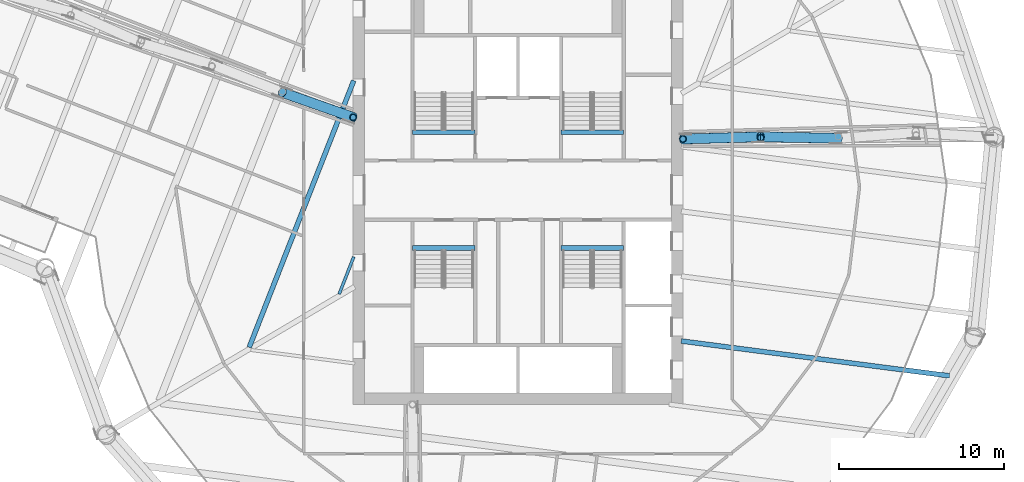
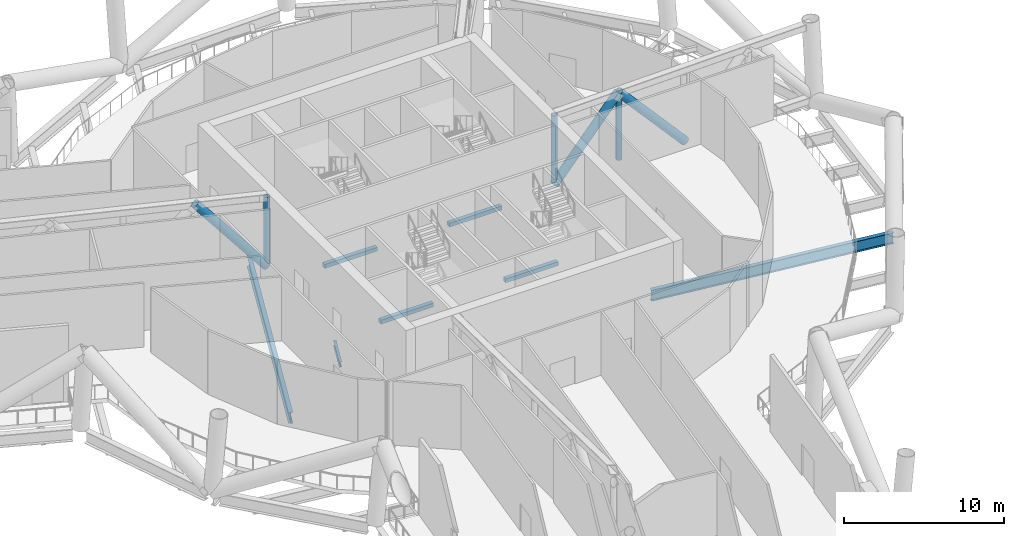
# One storey, part 6 of 36: 7 beams, 6 members.
"""IFC4 building model written with IfcOpenShell, lengths in metres."""

from ifc_helpers import new_model, si_unit, direction, frame, origin, origin_2d, place, context, subcontext, project, spatial, rectangle, hollow_circle, i_section, extrude, material, material_profile, profile_set, type_object, element, save


model = new_model("IFC4")

# Units and contexts
model_context = context("Model", 3, precision=1e-05, world=origin(), true_north=direction((0.0, 1.0)))
body_context = subcontext(model_context, "Body", "Model", "MODEL_VIEW")
ifc_project = project(units=[si_unit("LENGTHUNIT", "METRE"), si_unit("AREAUNIT", "SQUARE_METRE"), si_unit("VOLUMEUNIT", "CUBIC_METRE"), si_unit("PLANEANGLEUNIT", "RADIAN"), si_unit("MASSUNIT", "GRAM", prefix="KILO")], contexts=[model_context])

# Site, building, storey
site_placement = place(None, origin())
site = spatial("IfcSite", under=ifc_project, at=site_placement, CompositionType="ELEMENT")
building_placement = place(site_placement, origin())
building = spatial("IfcBuilding", under=site, at=building_placement, Name="Tarsis Ring Headquarters", CompositionType="ELEMENT")
storey_placement = place(building_placement, frame((0.0, 0.0, 194.39990234375)))
storey = spatial("IfcBuildingStorey", under=building, at=storey_placement, Name="L45", CompositionType="ELEMENT", Elevation=194.39990234375)

# Beams
ifc_material_1 = material(Name="Structural steel S355", Category="steel")
ifc_material_profile_1 = material_profile(ifc_material_1, i_section(OverallWidth=0.177734375, OverallDepth=0.406494140625, WebThickness=0.0078125, FlangeThickness=0.0126953125, at=origin_2d()), Name="W16x40")
ifc_profile_set_1 = profile_set([ifc_material_profile_1], Name="Structural steel S355")
beam_type_1 = type_object("IfcBeamType", Name="FB Floor beam W16x40", PredefinedType="JOIST", material=ifc_profile_set_1)
beam_1_placement = place(storey_placement, frame((-9.963623046875, -4.046875, -0.503173828125), z_axis=(-0.364846611136, -0.931067640047, 0.0), x_axis=(0.931067640047, -0.364846611136, 0.0)))
element("IfcBeam", 1, at=beam_1_placement, inside=storey, type_object=beam_type_1, Name="Floor beam FB1", PredefinedType="JOIST", context=body_context, shape_type="SweptSolid", body=[
    extrude(i_section(OverallWidth=0.177734375, OverallDepth=0.406494140625, WebThickness=0.0078125, FlangeThickness=0.0126953125, at=origin_2d()), origin(), (0.0, 0.0, 1.0), 2.428466796875),
])
ifc_material_profile_2 = material_profile(ifc_material_1, i_section(OverallWidth=0.2919921875, OverallDepth=0.835693359375, WebThickness=0.013916015625, FlangeThickness=0.018798828125, at=origin_2d()), Name="W33x118")
ifc_profile_set_2 = profile_set([ifc_material_profile_2], Name="Structural steel S355")
beam_type_2 = type_object("IfcBeamType", Name="FB Floor beam W33x118", PredefinedType="JOIST", material=ifc_profile_set_2)
beam_2_placement = place(storey_placement, frame((9.90087890625, -9.1513671875, -0.7177734375), z_axis=(0.991670740123, -0.12879884776, 0.0), x_axis=(0.12879884776, 0.991670740123, 0.0)))
element("IfcBeam", 2, at=beam_2_placement, inside=storey, type_object=beam_type_2, Name="Floor beam FB7", PredefinedType="JOIST", context=body_context, shape_type="SweptSolid", body=[
    extrude(i_section(OverallWidth=0.2919921875, OverallDepth=0.835693359375, WebThickness=0.013916015625, FlangeThickness=0.018798828125, at=origin_2d()), origin(), (0.0, 0.0, 1.0), 16.400146484375),
])
beam_3_placement = place(storey_placement, frame((-9.963623046875, 6.641845703125, -0.7177734375), z_axis=(-0.364875674552, -0.931056250782, 0.0), x_axis=(0.931056250782, -0.364875674552, 0.0)))
element("IfcBeam", 3, at=beam_3_placement, inside=storey, type_object=beam_type_2, Name="Floor beam FB7", PredefinedType="JOIST", context=body_context, shape_type="SweptSolid", body=[
    extrude(i_section(OverallWidth=0.2919921875, OverallDepth=0.835693359375, WebThickness=0.013916015625, FlangeThickness=0.018798828125, at=origin_2d()), origin(), (0.0, 0.0, 1.0), 17.3720703125),
])

# Members
ifc_material_profile_3 = material_profile(ifc_material_1, hollow_circle(Radius=0.3046875, WallThickness=0.02490234375, at=origin_2d()), Name="CHS 610x25")
ifc_profile_set_3 = profile_set([ifc_material_profile_3], Name="Structural steel S355")
member_type_1 = type_object("IfcMemberType", Name="OD Outrigger diagonal CHS 610x25", PredefinedType="BRACE", material=ifc_profile_set_3)
member_1_placement = place(storey_placement, frame((10.0, 3.10009765625, 0.254150390625), z_axis=(0.661578811394, 0.018123566069, 0.749656596495), x_axis=(-0.027384144005, 0.99962498401, 0.0)))
element("IfcMember", 4, at=member_1_placement, inside=storey, type_object=member_type_1, Name="Outrigger diagonal OD1", PredefinedType="BRACE", context=body_context, shape_type="SweptSolid", body=[
    extrude(hollow_circle(Radius=0.3046875, WallThickness=0.02490234375, at=origin_2d()), origin(), (0.0, 0.0, 1.0), 7.112548828125),
])
member_2_placement = place(storey_placement, frame((14.70556640625, 3.22900390625, 5.586181640625), z_axis=(0.663639599662, -0.012020719346, -0.747955870401), x_axis=(0.018110353696, 0.999835994096, 0.0)))
element("IfcMember", 5, at=member_2_placement, inside=storey, type_object=member_type_1, Name="Outrigger diagonal OD1", PredefinedType="BRACE", context=body_context, shape_type="SweptSolid", body=[
    extrude(hollow_circle(Radius=0.3046875, WallThickness=0.02490234375, at=origin_2d()), origin(), (0.0, 0.0, 1.0), 7.12890625),
])
member_3_placement = place(storey_placement, frame((-10.0, 4.410888671875, 0.254150390625), z_axis=(-0.612851678825, 0.215538884203, 0.760234048934), x_axis=(-0.331777298704, -0.943357739177, 0.0)))
element("IfcMember", 6, at=member_3_placement, inside=storey, type_object=member_type_1, Name="Outrigger diagonal OD1", PredefinedType="BRACE", context=body_context, shape_type="SweptSolid", body=[
    extrude(hollow_circle(Radius=0.3046875, WallThickness=0.02490234375, at=origin_2d()), origin(), (0.0, 0.0, 1.0), 7.013671875),
])
ifc_material_profile_4 = material_profile(ifc_material_1, hollow_circle(Radius=0.203125, WallThickness=0.01611328125, at=origin_2d()), Name="CHS 406x16")
ifc_profile_set_4 = profile_set([ifc_material_profile_4], Name="Structural steel S355")
member_type_2 = type_object("IfcMemberType", Name="OV Outrigger post CHS 406x16", PredefinedType="STRUT", material=ifc_profile_set_4)
member_4_placement = place(storey_placement, frame((10.0, 3.10009765625, 0.508056640625), z_axis=(0.0, 0.0, 1.0), x_axis=(1.0, 0.0, 0.0)))
element("IfcMember", 7, at=member_4_placement, inside=storey, type_object=member_type_2, Name="Outrigger post OV1", PredefinedType="STRUT", context=body_context, shape_type="SweptSolid", body=[
    extrude(hollow_circle(Radius=0.203125, WallThickness=0.01611328125, at=origin_2d()), origin(), (0.0, 0.0, 1.0), 5.078125),
])
member_5_placement = place(storey_placement, frame((14.7119140625, 3.17529296875, 0.508056640625), z_axis=(0.0, 0.0, 1.0), x_axis=(1.0, 0.0, 0.0)))
element("IfcMember", 8, at=member_5_placement, inside=storey, type_object=member_type_2, Name="Outrigger post OV1", PredefinedType="STRUT", context=body_context, shape_type="SweptSolid", body=[
    extrude(hollow_circle(Radius=0.203125, WallThickness=0.01611328125, at=origin_2d()), origin(), (0.0, 0.0, 1.0), 4.823974609375),
])
member_6_placement = place(storey_placement, frame((-10.0, 4.410888671875, 0.508056640625), z_axis=(0.0, 0.0, 1.0), x_axis=(1.0, 0.0, 0.0)))
element("IfcMember", 9, at=member_6_placement, inside=storey, type_object=member_type_2, Name="Outrigger post OV1", PredefinedType="STRUT", context=body_context, shape_type="SweptSolid", body=[
    extrude(hollow_circle(Radius=0.203125, WallThickness=0.01611328125, at=origin_2d()), origin(), (0.0, 0.0, 1.0), 5.078125),
])

# Beams
ifc_material_2 = material(Name="Concrete C40/50", Category="concrete")
ifc_material_profile_5 = material_profile(ifc_material_2, rectangle(XDim=0.300048828125, YDim=0.300048828125, at=origin_2d()), Name="Stair head beam 300x300 C40/50")
ifc_profile_set_5 = profile_set([ifc_material_profile_5], Name="Concrete C40/50")
beam_type_3 = type_object("IfcBeamType", Name="Stair head beam 300x300 C40/50", PredefinedType="BEAM", material=ifc_profile_set_5)
for number, where, z_axis, x_axis, name in (
    (10, (-6.39990234375, 3.510009765625, -0.449951171875), (1.0, 0.0, 0.0), (0.0, 1.0, 0.0), "Stair head beam L45 Firefighting stair"),
    (11, (2.60009765625, 3.510009765625, -0.449951171875), (1.0, 0.0, 0.0), (0.0, 1.0, 0.0), "Stair head beam L45 Exit stair B"),
    (12, (-6.39990234375, -3.510009765625, -0.449951171875), (1.0, 0.0, 0.0), (0.0, 1.0, 0.0), "Stair head beam L45 Exit stair C"),
    (13, (2.60009765625, -3.510009765625, -0.449951171875), (1.0, 0.0, 0.0), (0.0, 1.0, 0.0), "Stair head beam L45 Exit stair D"),
):
    element("IfcBeam", number, at=place(storey_placement, frame(where, z_axis=z_axis, x_axis=x_axis)), inside=storey, type_object=beam_type_3, Name=name, PredefinedType="BEAM", context=body_context, shape_type="SweptSolid", body=[
        extrude(rectangle(XDim=0.300048828125, YDim=0.300048828125, at=origin_2d()), origin(), (0.0, 0.0, 1.0), 3.7998046875),
    ])

save(model, "model.ifc")
